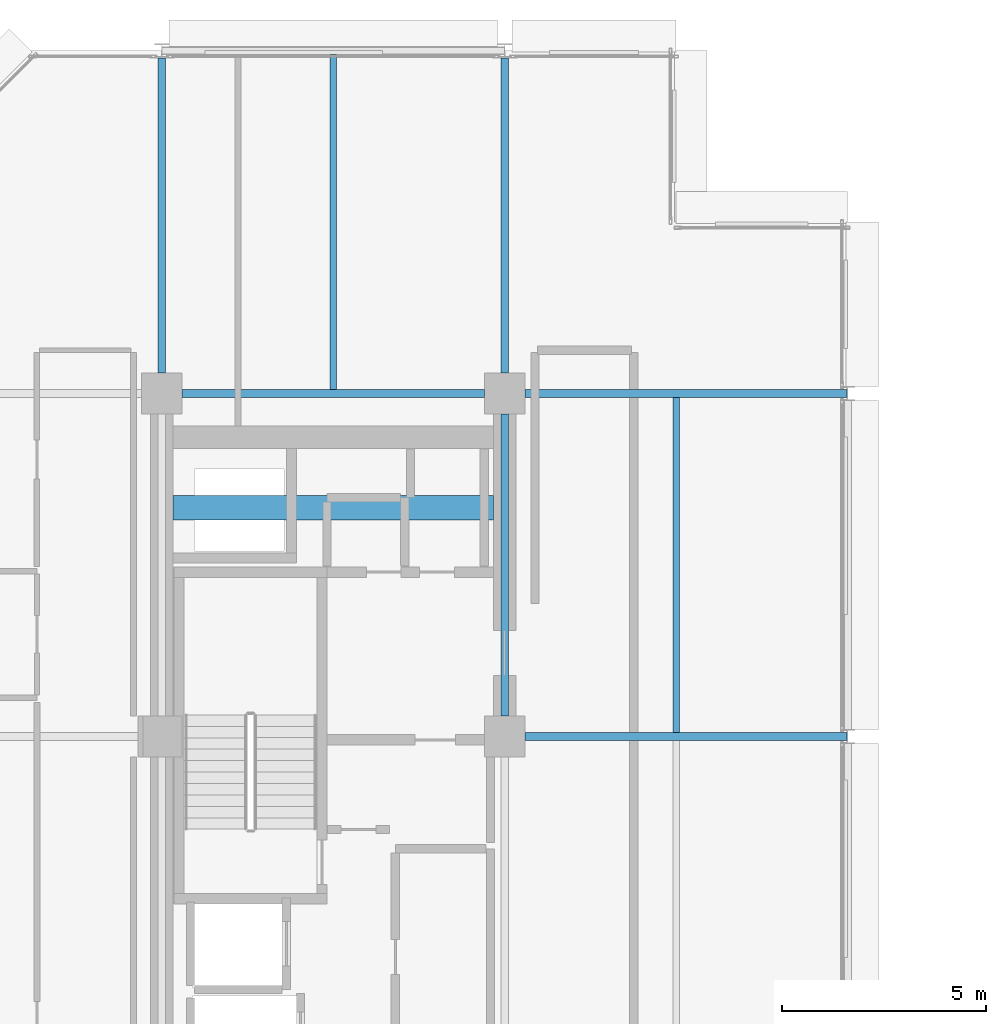
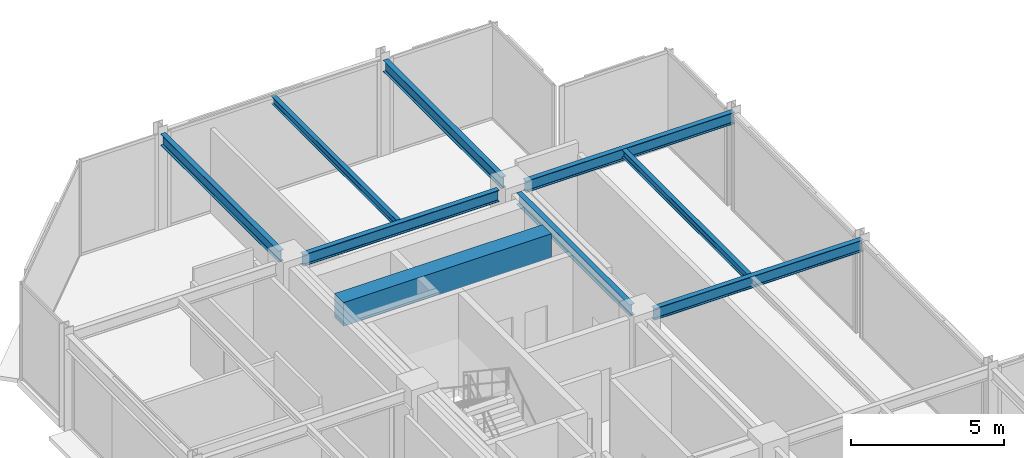
# One storey, part 18 of 29: 9 beams.
"""IFC4 building model written with IfcOpenShell, lengths in metres."""

from ifc_helpers import new_model, si_unit, direction, frame, origin, origin_2d, place, context, subcontext, project, spatial, rectangle, i_section, extrude, material, material_profile, profile_set, type_object, element, save


model = new_model("IFC4")

# Units and contexts
model_context = context("Model", 3, precision=1e-05, world=origin(), true_north=direction((0.0, 1.0)))
body_context = subcontext(model_context, "Body", "Model", "MODEL_VIEW")
ifc_project = project(units=[si_unit("LENGTHUNIT", "METRE"), si_unit("AREAUNIT", "SQUARE_METRE"), si_unit("VOLUMEUNIT", "CUBIC_METRE"), si_unit("PLANEANGLEUNIT", "RADIAN"), si_unit("MASSUNIT", "GRAM", prefix="KILO")], contexts=[model_context])

# Site, building, storey
site_placement = place(None, origin())
site = spatial("IfcSite", under=ifc_project, at=site_placement, CompositionType="ELEMENT")
building_placement = place(site_placement, origin())
building = spatial("IfcBuilding", under=site, at=building_placement, Name="Nerrivon Quay Data Exchange", CompositionType="ELEMENT")
storey_placement = place(building_placement, frame((0.0, 0.0, 179.60009765625)))
storey = spatial("IfcBuildingStorey", under=building, at=storey_placement, Name="L42", CompositionType="ELEMENT", Elevation=179.60009765625)

# Beams
ifc_material_1 = material(Name="Concrete N50 (50 MPa)", Category="concrete")
ifc_material_profile_1 = material_profile(ifc_material_1, rectangle(XDim=0.60009765625, YDim=0.949951171875, at=origin_2d()), Name="RC-CB-600x950")
ifc_profile_set_1 = profile_set([ifc_material_profile_1], Name="Concrete N50 (50 MPa)")
beam_type_1 = type_object("IfcBeamType", Name="BM-CB2-600x950", PredefinedType="LINTEL", material=ifc_profile_set_1)
beam_1_placement = place(storey_placement, frame((8.675048828125, 39.199951171875, 3.349853515625), z_axis=(1.0, 0.0, 0.0), x_axis=(0.0, 1.0, 0.0)))
element("IfcBeam", 1, at=beam_1_placement, inside=storey, type_object=beam_type_1, Name="L42 West Core Coupling Beam", PredefinedType="LINTEL", context=body_context, shape_type="SweptSolid", body=[
    extrude(rectangle(XDim=0.60009765625, YDim=0.949951171875, at=origin_2d()), origin(), (0.0, 0.0, 1.0), 7.849853515625),
])
ifc_material_2 = material(Name="Steel Grade 350", Category="steel")
ifc_material_profile_2 = material_profile(ifc_material_2, i_section(OverallWidth=0.19091796875, OverallDepth=0.4599609375, WebThickness=0.010009765625, FlangeThickness=0.01611328125, FilletRadius=0.011474609375, at=origin_2d()), Name="460UB82.1")
ifc_profile_set_2 = profile_set([ifc_material_profile_2], Name="Steel Grade 350")
beam_type_2 = type_object("IfcBeamType", Name="BM-G5-460UB82", PredefinedType="BEAM", material=ifc_profile_set_2)
beam_2_placement = place(storey_placement, frame((17.300048828125, 33.60009765625, 3.594970703125), z_axis=(1.0, 0.0, 0.0), x_axis=(0.0, 1.0, 0.0)))
element("IfcBeam", 2, at=beam_2_placement, inside=storey, type_object=beam_type_2, Name="L42 EW Girder Y=33.6 (16.8..25.2)", PredefinedType="BEAM", context=body_context, shape_type="SweptSolid", body=[
    extrude(i_section(OverallWidth=0.19091796875, OverallDepth=0.4599609375, WebThickness=0.010009765625, FlangeThickness=0.01611328125, FilletRadius=0.011474609375, at=origin_2d()), origin(), (0.0, 0.0, 1.0), 7.889892578125),
])
beam_3_placement = place(storey_placement, frame((8.89990234375, 42.0, 3.594970703125), z_axis=(1.0, 0.0, 0.0), x_axis=(0.0, 1.0, 0.0)))
element("IfcBeam", 3, at=beam_3_placement, inside=storey, type_object=beam_type_2, Name="L42 EW Girder Y=42.0 (8.4..16.8)", PredefinedType="BEAM", context=body_context, shape_type="SweptSolid", body=[
    extrude(i_section(OverallWidth=0.19091796875, OverallDepth=0.4599609375, WebThickness=0.010009765625, FlangeThickness=0.01611328125, FilletRadius=0.011474609375, at=origin_2d()), origin(), (0.0, 0.0, 1.0), 7.400146484375),
])
beam_4_placement = place(storey_placement, frame((17.300048828125, 42.0, 3.594970703125), z_axis=(1.0, 0.0, 0.0), x_axis=(0.0, 1.0, 0.0)))
element("IfcBeam", 4, at=beam_4_placement, inside=storey, type_object=beam_type_2, Name="L42 EW Girder Y=42.0 (16.8..25.2)", PredefinedType="BEAM", context=body_context, shape_type="SweptSolid", body=[
    extrude(i_section(OverallWidth=0.19091796875, OverallDepth=0.4599609375, WebThickness=0.010009765625, FlangeThickness=0.01611328125, FilletRadius=0.011474609375, at=origin_2d()), origin(), (0.0, 0.0, 1.0), 7.889892578125),
])
ifc_material_profile_3 = material_profile(ifc_material_2, i_section(OverallWidth=0.18994140625, OverallDepth=0.4541015625, WebThickness=0.008544921875, FlangeThickness=0.0126953125, FilletRadius=0.011474609375, at=origin_2d()), Name="460UB67.1")
ifc_profile_set_3 = profile_set([ifc_material_profile_3], Name="Steel Grade 350")
beam_type_3 = type_object("IfcBeamType", Name="BM-G6-460UB67", PredefinedType="BEAM", material=ifc_profile_set_3)
beam_5_placement = place(storey_placement, frame((8.39990234375, 42.5, 3.597900390625), z_axis=(0.0, 1.0, 0.0), x_axis=(-1.0, 0.0, 0.0)))
element("IfcBeam", 5, at=beam_5_placement, inside=storey, type_object=beam_type_3, Name="L42 NS Girder X=8.4 (42.0..50.4)", PredefinedType="BEAM", context=body_context, shape_type="SweptSolid", body=[
    extrude(i_section(OverallWidth=0.18994140625, OverallDepth=0.4541015625, WebThickness=0.008544921875, FlangeThickness=0.0126953125, FilletRadius=0.011474609375, at=origin_2d()), origin(), (0.0, 0.0, 1.0), 7.72509765625),
])
beam_6_placement = place(storey_placement, frame((16.800048828125, 34.10009765625, 3.597900390625), z_axis=(0.0, 1.0, 0.0), x_axis=(-1.0, 0.0, 0.0)))
element("IfcBeam", 6, at=beam_6_placement, inside=storey, type_object=beam_type_3, Name="L42 NS Girder X=16.8 (33.6..42.0)", PredefinedType="BEAM", context=body_context, shape_type="SweptSolid", body=[
    extrude(i_section(OverallWidth=0.18994140625, OverallDepth=0.4541015625, WebThickness=0.008544921875, FlangeThickness=0.0126953125, FilletRadius=0.011474609375, at=origin_2d()), origin(), (0.0, 0.0, 1.0), 7.39990234375),
])
beam_7_placement = place(storey_placement, frame((16.800048828125, 42.5, 3.597900390625), z_axis=(0.0, 1.0, 0.0), x_axis=(-1.0, 0.0, 0.0)))
element("IfcBeam", 7, at=beam_7_placement, inside=storey, type_object=beam_type_3, Name="L42 NS Girder X=16.8 (42.0..50.4)", PredefinedType="BEAM", context=body_context, shape_type="SweptSolid", body=[
    extrude(i_section(OverallWidth=0.18994140625, OverallDepth=0.4541015625, WebThickness=0.008544921875, FlangeThickness=0.0126953125, FilletRadius=0.011474609375, at=origin_2d()), origin(), (0.0, 0.0, 1.0), 7.72509765625),
])
ifc_material_profile_4 = material_profile(ifc_material_2, i_section(OverallWidth=0.166015625, OverallDepth=0.306884765625, WebThickness=0.006591796875, FlangeThickness=0.01171875, FilletRadius=0.011474609375, at=origin_2d()), Name="310UB46.2")
ifc_profile_set_4 = profile_set([ifc_material_profile_4], Name="Steel Grade 350")
beam_type_4 = type_object("IfcBeamType", Name="BM-J5-310UB46", PredefinedType="JOIST", material=ifc_profile_set_4)
beam_8_placement = place(storey_placement, frame((12.60009765625, 42.095458984375, 3.67138671875), z_axis=(0.0, 1.0, 0.0), x_axis=(-1.0, 0.0, 0.0)))
element("IfcBeam", 8, at=beam_8_placement, inside=storey, type_object=beam_type_4, Name="L42 Secondary Joist X=12.6 (42.0..50.4)", PredefinedType="JOIST", context=body_context, shape_type="SweptSolid", body=[
    extrude(i_section(OverallWidth=0.166015625, OverallDepth=0.306884765625, WebThickness=0.006591796875, FlangeThickness=0.01171875, FilletRadius=0.011474609375, at=origin_2d()), origin(), (0.0, 0.0, 1.0), 8.20458984375),
])
beam_9_placement = place(storey_placement, frame((21.0, 33.695556640625, 3.67138671875), z_axis=(0.0, 1.0, 0.0), x_axis=(-1.0, 0.0, 0.0)))
element("IfcBeam", 9, at=beam_9_placement, inside=storey, type_object=beam_type_4, Name="L42 Secondary Joist X=21.0 (33.6..42.0)", PredefinedType="JOIST", context=body_context, shape_type="SweptSolid", body=[
    extrude(i_section(OverallWidth=0.166015625, OverallDepth=0.306884765625, WebThickness=0.006591796875, FlangeThickness=0.01171875, FilletRadius=0.011474609375, at=origin_2d()), origin(), (0.0, 0.0, 1.0), 8.208984375),
])

save(model, "model.ifc")
